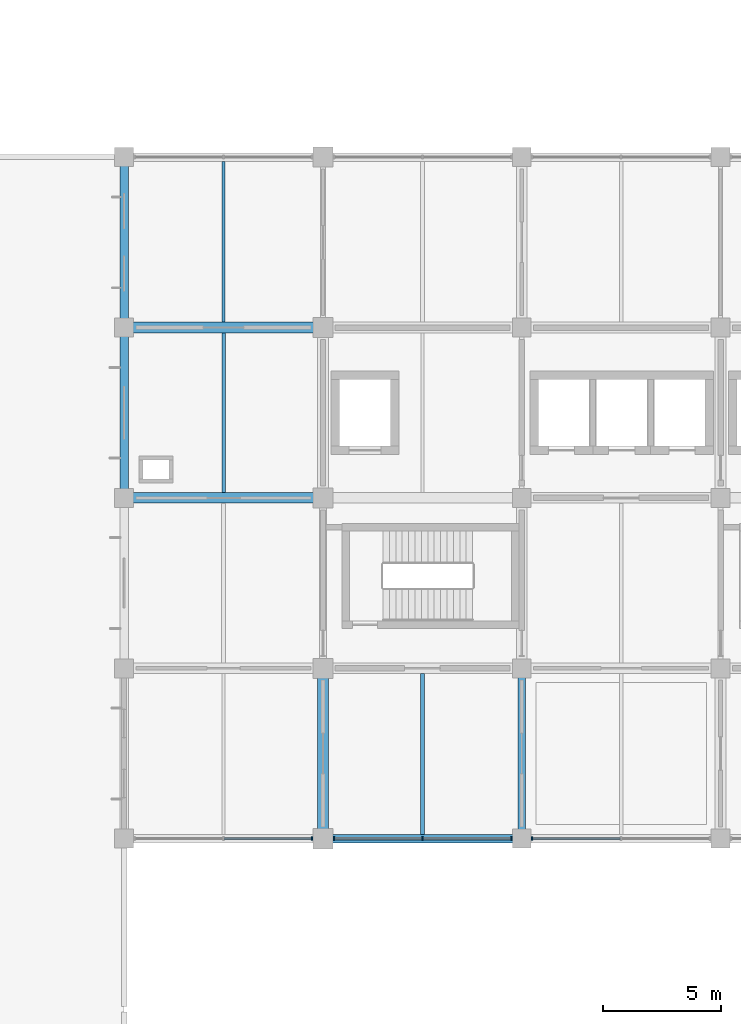
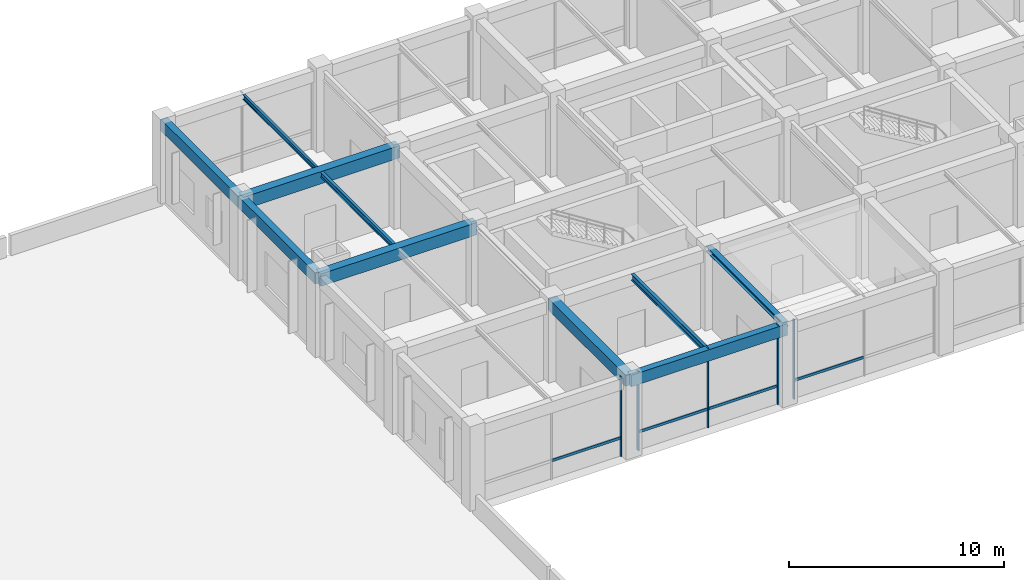
# One storey, part 30 of 45: 10 beams, 9 members, 3 elements without a shape of their own.
"""IFC4 building model written with IfcOpenShell, lengths in metres."""

from ifc_helpers import new_model, si_unit, derived_unit, direction, frame, origin, origin_2d, place, context, subcontext, project, spatial, rectangle, i_section, extrude, material, material_profile, profile_set, type_object, element, aggregate, save


model = new_model("IFC4")

# Units and contexts
model_context = context("Model", 3, precision=1e-05, world=origin(), true_north=direction((0.0, 1.0)))
body_context = subcontext(model_context, "Body", "Model", "MODEL_VIEW")
ifc_project = project(units=[si_unit("LENGTHUNIT", "METRE"), si_unit("AREAUNIT", "SQUARE_METRE"), si_unit("VOLUMEUNIT", "CUBIC_METRE"), si_unit("PLANEANGLEUNIT", "RADIAN"), si_unit("MASSUNIT", "GRAM", prefix="KILO"), derived_unit("THERMALTRANSMITTANCEUNIT", [(si_unit("MASSUNIT", "GRAM", prefix="KILO"), 1), (si_unit("TIMEUNIT", "SECOND"), -3), (si_unit("THERMODYNAMICTEMPERATUREUNIT", "KELVIN"), -1)])], contexts=[model_context])

# Site, building, storey
site_placement = place(None, origin())
site = spatial("IfcSite", under=ifc_project, at=site_placement, CompositionType="ELEMENT")
building_placement = place(site_placement, origin())
building = spatial("IfcBuilding", under=site, at=building_placement, Name="Veldstrom Oceanarium and Marine Research Institute", CompositionType="ELEMENT")
storey_placement = place(building_placement, frame((0.0, 0.0, 22.199951171875)))
storey = spatial("IfcBuildingStorey", under=building, at=storey_placement, Name="L04", CompositionType="ELEMENT", Elevation=22.199951171875)

# Curtain wall, member
ifc_material_1 = material(Name="Anodised Aluminium Framing", Category="aluminium")
curtain_wall_type = type_object("IfcCurtainWallType", Name="ARC-CW-CW03", PredefinedType="USERDEFINED", material=ifc_material_1)
curtain_wall_1_placement = place(storey_placement, origin())
curtain_wall_1 = element("IfcCurtainWall", 1, at=curtain_wall_1_placement, inside=storey, type_object=curtain_wall_type, Name="Curtain Wall CW03 CW-L04-078", ObjectType="Curtain wall", PredefinedType="USERDEFINED")
ifc_material_2 = material(Name="Anodised Aluminium Framing", Category="aluminium")
ifc_material_profile_1 = material_profile(ifc_material_2, rectangle(XDim=0.06494140625, YDim=0.14990234375, at=origin_2d()), Name="ALU-MUL-65x150")
ifc_profile_set_1 = profile_set([ifc_material_profile_1], Name="Anodised Aluminium Framing")
member_type_1 = type_object("IfcMemberType", Name="ARC-MUL-ML2", PredefinedType="MULLION", material=ifc_profile_set_1)
member_1_placement = place(storey_placement, frame((75.135009765625, 43.199951171875, 0.0), z_axis=(0.0, 0.0, 1.0), x_axis=(1.0, 0.0, 0.0)))
member_1 = element("IfcMember", 2, at=member_1_placement, type_object=member_type_1, Name="Curtain Wall Mullion CW-L04-078-MUL-3", PredefinedType="MULLION", context=body_context, shape_type="SweptSolid", body=[
    extrude(rectangle(XDim=0.06494140625, YDim=0.14990234375, at=origin_2d()), origin(), (0.0, 0.0, 1.0), 4.52001953125),
])

# Curtain wall, members
curtain_wall_2_placement = place(storey_placement, origin())
curtain_wall_2 = element("IfcCurtainWall", 3, at=curtain_wall_2_placement, inside=storey, type_object=curtain_wall_type, Name="Curtain Wall CW03 CW-L04-080", ObjectType="Curtain wall", PredefinedType="USERDEFINED")
member_2_placement = place(storey_placement, frame((76.06494140625, 43.199951171875, 0.0), z_axis=(0.0, 0.0, 1.0), x_axis=(1.0, 0.0, 0.0)))
member_2 = element("IfcMember", 4, at=member_2_placement, type_object=member_type_1, Name="Curtain Wall Mullion CW-L04-080-MUL-1", PredefinedType="MULLION", context=body_context, shape_type="SweptSolid", body=[
    extrude(rectangle(XDim=0.06494140625, YDim=0.14990234375, at=origin_2d()), origin(), (0.0, 0.0, 1.0), 4.52001953125),
])
member_3_placement = place(storey_placement, frame((79.8125, 43.199951171875, 0.0), z_axis=(0.0, 0.0, 1.0), x_axis=(1.0, 0.0, 0.0)))
member_3 = element("IfcMember", 5, at=member_3_placement, type_object=member_type_1, Name="Curtain Wall Mullion CW-L04-080-MUL-2", PredefinedType="MULLION", context=body_context, shape_type="SweptSolid", body=[
    extrude(rectangle(XDim=0.06494140625, YDim=0.14990234375, at=origin_2d()), origin(), (0.0, 0.0, 1.0), 4.52001953125),
])
member_4_placement = place(storey_placement, frame((83.56005859375, 43.199951171875, 0.0), z_axis=(0.0, 0.0, 1.0), x_axis=(1.0, 0.0, 0.0)))
member_4 = element("IfcMember", 6, at=member_4_placement, type_object=member_type_1, Name="Curtain Wall Mullion CW-L04-080-MUL-3", PredefinedType="MULLION", context=body_context, shape_type="SweptSolid", body=[
    extrude(rectangle(XDim=0.06494140625, YDim=0.14990234375, at=origin_2d()), origin(), (0.0, 0.0, 1.0), 4.52001953125),
])

# Curtain wall, member
curtain_wall_3_placement = place(storey_placement, origin())
curtain_wall_3 = element("IfcCurtainWall", 7, at=curtain_wall_3_placement, inside=storey, type_object=curtain_wall_type, Name="Curtain Wall CW03 CW-L04-082", ObjectType="Curtain wall", PredefinedType="USERDEFINED")
member_5_placement = place(storey_placement, frame((84.43994140625, 43.199951171875, 0.0), z_axis=(0.0, 0.0, 1.0), x_axis=(1.0, 0.0, 0.0)))
member_5 = element("IfcMember", 8, at=member_5_placement, type_object=member_type_1, Name="Curtain Wall Mullion CW-L04-082-MUL-1", PredefinedType="MULLION", context=body_context, shape_type="SweptSolid", body=[
    extrude(rectangle(XDim=0.06494140625, YDim=0.14990234375, at=origin_2d()), origin(), (0.0, 0.0, 1.0), 4.52001953125),
])

# Member
ifc_material_3 = material(Name="Anodised Aluminium Framing", Category="aluminium")
ifc_material_profile_2 = material_profile(ifc_material_3, rectangle(XDim=0.074951171875, YDim=0.14990234375, at=origin_2d()), Name="ALU-TRN-75x150")
ifc_profile_set_2 = profile_set([ifc_material_profile_2], Name="Anodised Aluminium Framing")
member_type_2 = type_object("IfcMemberType", Name="ARC-TRN-TR1", PredefinedType="USERDEFINED", material=ifc_profile_set_2)
member_6_placement = place(storey_placement, frame((71.427490234375, 43.199951171875, 1.050048828125), z_axis=(1.0, 0.0, 0.0), x_axis=(0.0, 1.0, 0.0)))
member_6 = element("IfcMember", 9, at=member_6_placement, type_object=member_type_2, Name="Curtain Wall Transom CW-L04-078-TRN-2", ObjectType="Transom", PredefinedType="USERDEFINED", context=body_context, shape_type="SweptSolid", body=[
    extrude(rectangle(XDim=0.074951171875, YDim=0.14990234375, at=origin_2d()), origin(), (0.0, 0.0, 1.0), 3.66748046875),
])

aggregate(curtain_wall_1, [member_1, member_6])

member_7_placement = place(storey_placement, frame((76.10498046875, 43.199951171875, 1.050048828125), z_axis=(1.0, 0.0, 0.0), x_axis=(0.0, 1.0, 0.0)))
member_7 = element("IfcMember", 10, at=member_7_placement, type_object=member_type_2, Name="Curtain Wall Transom CW-L04-080-TRN-1", ObjectType="Transom", PredefinedType="USERDEFINED", context=body_context, shape_type="SweptSolid", body=[
    extrude(rectangle(XDim=0.074951171875, YDim=0.14990234375, at=origin_2d()), origin(), (0.0, 0.0, 1.0), 3.66748046875),
])

member_8_placement = place(storey_placement, frame((79.8525390625, 43.199951171875, 1.050048828125), z_axis=(1.0, 0.0, 0.0), x_axis=(0.0, 1.0, 0.0)))
member_8 = element("IfcMember", 11, at=member_8_placement, type_object=member_type_2, Name="Curtain Wall Transom CW-L04-080-TRN-2", ObjectType="Transom", PredefinedType="USERDEFINED", context=body_context, shape_type="SweptSolid", body=[
    extrude(rectangle(XDim=0.074951171875, YDim=0.14990234375, at=origin_2d()), origin(), (0.0, 0.0, 1.0), 3.66748046875),
])

aggregate(curtain_wall_2, [member_2, member_3, member_4, member_7, member_8])

member_9_placement = place(storey_placement, frame((84.47998046875, 43.199951171875, 1.050048828125), z_axis=(1.0, 0.0, 0.0), x_axis=(0.0, 1.0, 0.0)))
member_9 = element("IfcMember", 12, at=member_9_placement, type_object=member_type_2, Name="Curtain Wall Transom CW-L04-082-TRN-1", ObjectType="Transom", PredefinedType="USERDEFINED", context=body_context, shape_type="SweptSolid", body=[
    extrude(rectangle(XDim=0.074951171875, YDim=0.14990234375, at=origin_2d()), origin(), (0.0, 0.0, 1.0), 3.679931640625),
])

aggregate(curtain_wall_3, [member_5, member_9])

# Beams
ifc_material_4 = material(Name="Concrete C40/50", Category="concrete")
ifc_material_profile_3 = material_profile(ifc_material_4, rectangle(XDim=0.449951171875, YDim=0.699951171875, at=origin_2d()), Name="RC-BM-450x700")
ifc_profile_set_3 = profile_set([ifc_material_profile_3], Name="Concrete C40/50")
beam_type_1 = type_object("IfcBeamType", Name="STR-BM-B04", PredefinedType="BEAM", material=ifc_profile_set_3)
for number, where, z_axis, x_axis, name in (
    (13, (67.199951171875, 57.60009765625, 4.1650390625), (1.0, 0.0, 0.0), (0.0, 1.0, 0.0), "Primary Beam B04 L04-2097"),
    (14, (67.199951171875, 64.800048828125, 4.1650390625), (1.0, 0.0, 0.0), (0.0, 1.0, 0.0), "Primary Beam B04 L04-2098"),
):
    element("IfcBeam", number, at=place(storey_placement, frame(where, z_axis=z_axis, x_axis=x_axis)), inside=storey, type_object=beam_type_1, Name=name, PredefinedType="BEAM", context=body_context, shape_type="SweptSolid", body=[
        extrude(rectangle(XDim=0.449951171875, YDim=0.699951171875, at=origin_2d()), origin(), (0.0, 0.0, 1.0), 8.400146484375),
    ])
ifc_material_5 = material(Name="Concrete C40/50", Category="concrete")
ifc_material_profile_4 = material_profile(ifc_material_5, rectangle(XDim=0.449951171875, YDim=0.64990234375, at=origin_2d()), Name="RC-BM-450x650")
ifc_profile_set_4 = profile_set([ifc_material_profile_4], Name="Concrete C40/50")
beam_type_2 = type_object("IfcBeamType", Name="STR-BM-B05", PredefinedType="BEAM", material=ifc_profile_set_4)
beam_1_placement = place(storey_placement, frame((75.60009765625, 43.199951171875, 4.18994140625), z_axis=(0.0, 1.0, 0.0), x_axis=(-1.0, 0.0, 0.0)))
element("IfcBeam", 15, at=beam_1_placement, inside=storey, type_object=beam_type_2, Name="Primary Beam B05 L04-2129", PredefinedType="BEAM", context=body_context, shape_type="SweptSolid", body=[
    extrude(rectangle(XDim=0.449951171875, YDim=0.64990234375, at=origin_2d()), origin(), (0.0, 0.0, 1.0), 7.199951171875),
])
ifc_material_6 = material(Name="Steel S355JR", Category="steel")
ifc_material_profile_5 = material_profile(ifc_material_6, i_section(OverallWidth=0.300048828125, OverallDepth=0.2900390625, WebThickness=0.008544921875, FlangeThickness=0.013916015625, FilletRadius=0.027099609375, at=origin_2d()), Name="HEA 300")
ifc_profile_set_5 = profile_set([ifc_material_profile_5], Name="Steel S355JR")
beam_type_3 = type_object("IfcBeamType", Name="STR-BM-SB10", PredefinedType="BEAM", material=ifc_profile_set_5)
beam_2_placement = place(storey_placement, frame((84.0, 43.199951171875, 4.3701171875), z_axis=(0.0, 1.0, 0.0), x_axis=(-1.0, 0.0, 0.0)))
element("IfcBeam", 16, at=beam_2_placement, inside=storey, type_object=beam_type_3, Name="Steel Tie Beam SB10 L04-2133", PredefinedType="BEAM", context=body_context, shape_type="SweptSolid", body=[
    extrude(i_section(OverallWidth=0.300048828125, OverallDepth=0.2900390625, WebThickness=0.008544921875, FlangeThickness=0.013916015625, FilletRadius=0.027099609375, at=origin_2d()), origin(), (0.0, 0.0, 1.0), 7.199951171875),
])
ifc_material_7 = material(Name="Steel S355JR", Category="steel")
ifc_material_profile_6 = material_profile(ifc_material_7, i_section(OverallWidth=0.169921875, OverallDepth=0.360107421875, WebThickness=0.008056640625, FlangeThickness=0.0126953125, FilletRadius=0.01806640625, at=origin_2d()), Name="IPE 360")
ifc_profile_set_6 = profile_set([ifc_material_profile_6], Name="Steel S355JR")
beam_type_4 = type_object("IfcBeamType", Name="STR-JST-SJ1", PredefinedType="JOIST", material=ifc_profile_set_6)
beam_3_placement = place(storey_placement, frame((79.800048828125, 43.375, 4.3349609375), z_axis=(0.0, 1.0, 0.0), x_axis=(-1.0, 0.0, 0.0)))
element("IfcBeam", 17, at=beam_3_placement, inside=storey, type_object=beam_type_4, Name="Secondary Joist SJ1 L04-2157", PredefinedType="JOIST", context=body_context, shape_type="SweptSolid", body=[
    extrude(i_section(OverallWidth=0.169921875, OverallDepth=0.360107421875, WebThickness=0.008056640625, FlangeThickness=0.0126953125, FilletRadius=0.01806640625, at=origin_2d()), origin(), (0.0, 0.0, 1.0), 6.800048828125),
])
ifc_material_8 = material(Name="Steel S355JR", Category="steel")
ifc_material_profile_7 = material_profile(ifc_material_8, i_section(OverallWidth=0.14990234375, OverallDepth=0.300048828125, WebThickness=0.007080078125, FlangeThickness=0.0107421875, FilletRadius=0.014892578125, at=origin_2d()), Name="IPE 300")
ifc_profile_set_7 = profile_set([ifc_material_profile_7], Name="Steel S355JR")
beam_type_5 = type_object("IfcBeamType", Name="STR-JST-SJ2", PredefinedType="JOIST", material=ifc_profile_set_7)
beam_4_placement = place(storey_placement, frame((71.39990234375, 57.824951171875, 4.364990234375), z_axis=(0.0, 1.0, 0.0), x_axis=(-1.0, 0.0, 0.0)))
element("IfcBeam", 18, at=beam_4_placement, inside=storey, type_object=beam_type_5, Name="Secondary Joist SJ2 L04-2155", PredefinedType="JOIST", context=body_context, shape_type="SweptSolid", body=[
    extrude(i_section(OverallWidth=0.14990234375, OverallDepth=0.300048828125, WebThickness=0.007080078125, FlangeThickness=0.0107421875, FilletRadius=0.014892578125, at=origin_2d()), origin(), (0.0, 0.0, 1.0), 6.75),
])
ifc_material_9 = material(Name="Steel S355JR", Category="steel")
ifc_material_profile_8 = material_profile(ifc_material_9, i_section(OverallWidth=0.135009765625, OverallDepth=0.27001953125, WebThickness=0.006591796875, FlangeThickness=0.01025390625, FilletRadius=0.014892578125, at=origin_2d()), Name="IPE 270")
ifc_profile_set_8 = profile_set([ifc_material_profile_8], Name="Steel S355JR")
beam_type_6 = type_object("IfcBeamType", Name="STR-JST-SJ3", PredefinedType="JOIST", material=ifc_profile_set_8)
beam_5_placement = place(storey_placement, frame((71.39990234375, 65.02490234375, 4.380126953125), z_axis=(0.0, 1.0, 0.0), x_axis=(-1.0, 0.0, 0.0)))
element("IfcBeam", 19, at=beam_5_placement, inside=storey, type_object=beam_type_6, Name="Secondary Joist SJ3 L04-2156", PredefinedType="JOIST", context=body_context, shape_type="SweptSolid", body=[
    extrude(i_section(OverallWidth=0.135009765625, OverallDepth=0.27001953125, WebThickness=0.006591796875, FlangeThickness=0.01025390625, FilletRadius=0.014892578125, at=origin_2d()), origin(), (0.0, 0.0, 1.0), 6.800048828125),
])
ifc_material_10 = material(Name="Concrete C40/50", Category="concrete")
ifc_material_profile_9 = material_profile(ifc_material_10, rectangle(XDim=0.35009765625, YDim=0.64990234375, at=origin_2d()), Name="RC-SPN-350x650")
ifc_profile_set_9 = profile_set([ifc_material_profile_9], Name="Concrete C40/50")
beam_type_7 = type_object("IfcBeamType", Name="STR-SPN-SP1", PredefinedType="SPANDREL", material=ifc_profile_set_9)
beam_6_placement = place(storey_placement, frame((75.60009765625, 43.199951171875, 4.18994140625), z_axis=(1.0, 0.0, 0.0), x_axis=(0.0, 1.0, 0.0)))
element("IfcBeam", 20, at=beam_6_placement, inside=storey, type_object=beam_type_7, Name="Perimeter Spandrel SPB1 L04-2100", PredefinedType="SPANDREL", context=body_context, shape_type="SweptSolid", body=[
    extrude(rectangle(XDim=0.35009765625, YDim=0.64990234375, at=origin_2d()), origin(), (0.0, 0.0, 1.0), 8.39990234375),
])
for number, where, z_axis, x_axis, name in (
    (21, (67.199951171875, 57.60009765625, 4.18994140625), (0.0, 1.0, 0.0), (-1.0, 0.0, 0.0), "Perimeter Spandrel SPB1 L04-2127"),
    (22, (67.199951171875, 64.800048828125, 4.18994140625), (0.0, 1.0, 0.0), (-1.0, 0.0, 0.0), "Perimeter Spandrel SPB1 L04-2128"),
):
    element("IfcBeam", number, at=place(storey_placement, frame(where, z_axis=z_axis, x_axis=x_axis)), inside=storey, type_object=beam_type_7, Name=name, PredefinedType="SPANDREL", context=body_context, shape_type="SweptSolid", body=[
        extrude(rectangle(XDim=0.35009765625, YDim=0.64990234375, at=origin_2d()), origin(), (0.0, 0.0, 1.0), 7.199951171875),
    ])

save(model, "model.ifc")
